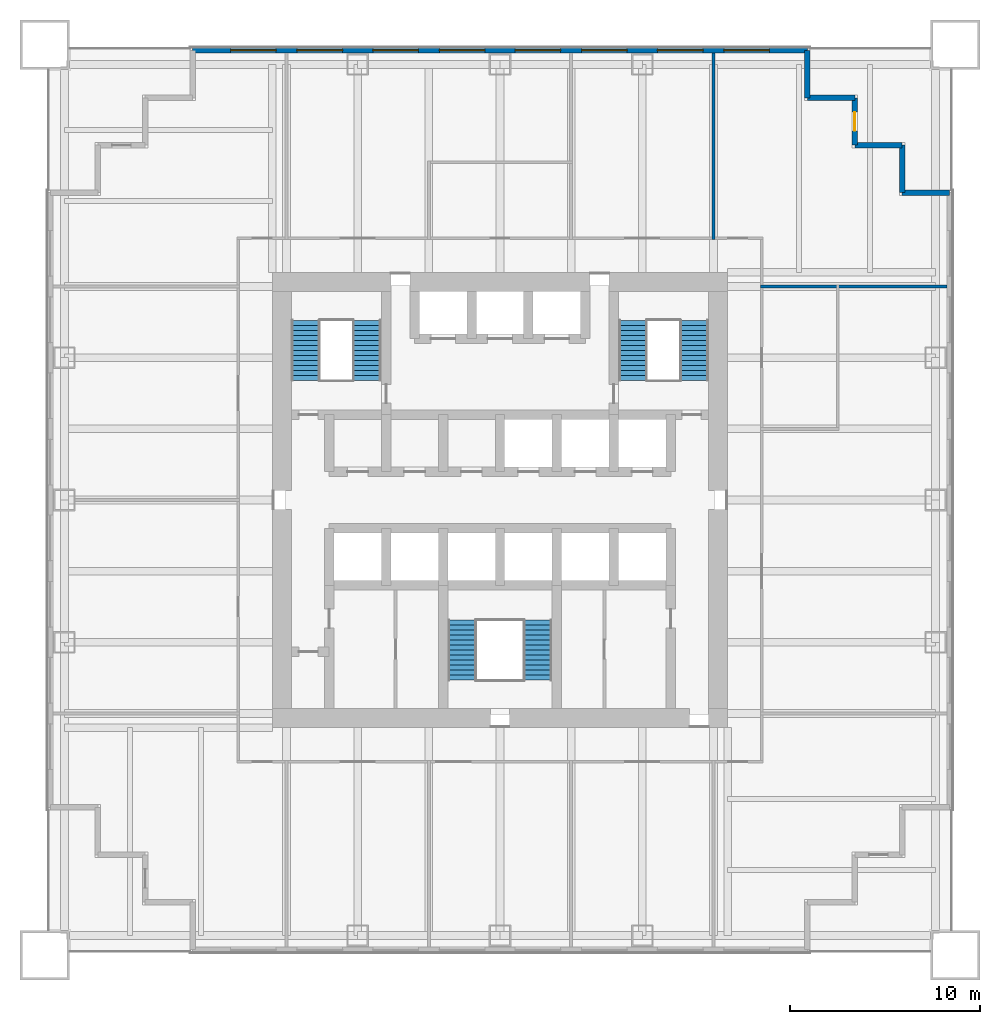
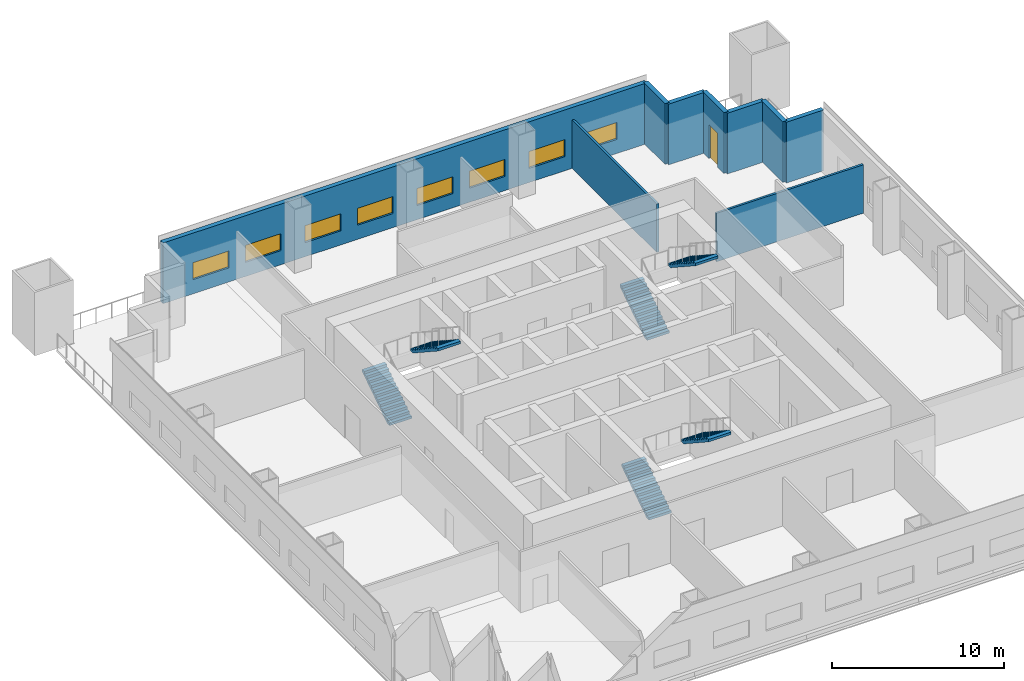
# One storey, part 5 of 7: 9 walls, 8 windows, 6 stair flights, 1 door, 9 openings, 3 elements without a shape of their own.
"""IFC4 building model written with IfcOpenShell, lengths in metres."""

from ifc_helpers import new_model, si_unit, direction, frame, frame_2d, origin, place, context, subcontext, project, spatial, polyline, rectangle, outline, extrude, material, layer, layer_set, type_object, element, fill, aggregate, save


model = new_model("IFC4")

# Units and contexts
model_context = context("Model", 3, precision=1e-05, world=origin(), true_north=direction((0.0, 1.0)))
body_context = subcontext(model_context, "Body", "Model", "MODEL_VIEW")
ifc_project = project(units=[si_unit("LENGTHUNIT", "METRE"), si_unit("AREAUNIT", "SQUARE_METRE"), si_unit("VOLUMEUNIT", "CUBIC_METRE"), si_unit("PLANEANGLEUNIT", "RADIAN"), si_unit("MASSUNIT", "GRAM", prefix="KILO")], contexts=[model_context])

# Site, building, storey
site_placement = place(None, origin())
site = spatial("IfcSite", under=ifc_project, at=site_placement, CompositionType="ELEMENT")
building_placement = place(site_placement, origin())
building = spatial("IfcBuilding", under=site, at=building_placement, Name="Tarangal Relay Tower", CompositionType="ELEMENT")
storey_placement = place(building_placement, frame((0.0, 0.0, 131.39990234375)))
storey = spatial("IfcBuildingStorey", under=building, at=storey_placement, Name="L26", CompositionType="ELEMENT", Elevation=131.39990234375)

# Wall, openings, windows
ifc_material_1 = material(Name="Insulated precast concrete fc' 40 MPa", Category="concrete")
ifc_layer_1 = layer(ifc_material_1, 0.300048828125)
ifc_layer_set_1 = layer_set([ifc_layer_1], Name="Insulated precast concrete fc' 40 MPa")
wall_type_1 = type_object("IfcWallType", Name="Facade wall precast 300", PredefinedType="SOLIDWALL", material=ifc_layer_set_1)
wall_1_placement = place(storey_placement, frame((-16.199951171875, 23.699951171875, 0.0), z_axis=(0.0, 0.0, 1.0), x_axis=(1.0, 0.0, 0.0)))
wall_1 = element("IfcWall", 1, at=wall_1_placement, inside=storey, type_object=wall_type_1, Name="Facade wall N facade L26", PredefinedType="SOLIDWALL", context=body_context, shape_type="SweptSolid", body=[
    extrude(rectangle(XDim=32.39990234375, YDim=0.300048828125, at=frame_2d((16.199951171875, 0.0))), origin(), (0.0, 0.0, 1.0), 4.300048828125),
])
opening_1_placement = place(wall_1_placement, frame((2.0, 0.0, 1.0)))
opening_1 = element("IfcOpeningElement", 2, at=opening_1_placement, cuts=wall_1, Name="Opening WN1", PredefinedType="OPENING", context=body_context, shape_type="SweptSolid", body=[
    extrude(rectangle(XDim=2.39990234375, YDim=1.199951171875, at=frame_2d((1.199951171875, 0.60009765625))), frame((0.0, 0.159912109375, 0.0), z_axis=(0.0, -1.0, 0.0), x_axis=(1.0, 0.0, 0.0)), (0.0, 0.0, 1.0), 0.320068359375),
])
opening_2_placement = place(wall_1_placement, frame((5.5, 0.0, 1.0)))
opening_2 = element("IfcOpeningElement", 3, at=opening_2_placement, cuts=wall_1, Name="Opening WN1", PredefinedType="OPENING", context=body_context, shape_type="SweptSolid", body=[
    extrude(rectangle(XDim=2.39990234375, YDim=1.199951171875, at=frame_2d((1.199951171875, 0.60009765625))), frame((0.0, 0.159912109375, 0.0), z_axis=(0.0, -1.0, 0.0), x_axis=(1.0, 0.0, 0.0)), (0.0, 0.0, 1.0), 0.320068359375),
])
opening_3_placement = place(wall_1_placement, frame((9.5, 0.0, 1.0)))
opening_3 = element("IfcOpeningElement", 4, at=opening_3_placement, cuts=wall_1, Name="Opening WN1", PredefinedType="OPENING", context=body_context, shape_type="SweptSolid", body=[
    extrude(rectangle(XDim=2.39990234375, YDim=1.199951171875, at=frame_2d((1.199951171875, 0.60009765625))), frame((0.0, 0.159912109375, 0.0), z_axis=(0.0, -1.0, 0.0), x_axis=(1.0, 0.0, 0.0)), (0.0, 0.0, 1.0), 0.320068359375),
])
opening_4_placement = place(wall_1_placement, frame((13.0, 0.0, 1.0)))
opening_4 = element("IfcOpeningElement", 5, at=opening_4_placement, cuts=wall_1, Name="Opening WN1", PredefinedType="OPENING", context=body_context, shape_type="SweptSolid", body=[
    extrude(rectangle(XDim=2.39990234375, YDim=1.199951171875, at=frame_2d((1.199951171875, 0.60009765625))), frame((0.0, 0.159912109375, 0.0), z_axis=(0.0, -1.0, 0.0), x_axis=(1.0, 0.0, 0.0)), (0.0, 0.0, 1.0), 0.320068359375),
])
opening_5_placement = place(wall_1_placement, frame((17.0, 0.0, 1.0)))
opening_5 = element("IfcOpeningElement", 6, at=opening_5_placement, cuts=wall_1, Name="Opening WN1", PredefinedType="OPENING", context=body_context, shape_type="SweptSolid", body=[
    extrude(rectangle(XDim=2.39990234375, YDim=1.199951171875, at=frame_2d((1.199951171875, 0.60009765625))), frame((0.0, 0.159912109375, 0.0), z_axis=(0.0, -1.0, 0.0), x_axis=(1.0, 0.0, 0.0)), (0.0, 0.0, 1.0), 0.320068359375),
])
opening_6_placement = place(wall_1_placement, frame((20.5, 0.0, 1.0)))
opening_6 = element("IfcOpeningElement", 7, at=opening_6_placement, cuts=wall_1, Name="Opening WN1", PredefinedType="OPENING", context=body_context, shape_type="SweptSolid", body=[
    extrude(rectangle(XDim=2.39990234375, YDim=1.199951171875, at=frame_2d((1.199951171875, 0.60009765625))), frame((0.0, 0.159912109375, 0.0), z_axis=(0.0, -1.0, 0.0), x_axis=(1.0, 0.0, 0.0)), (0.0, 0.0, 1.0), 0.320068359375),
])
opening_7_placement = place(wall_1_placement, frame((24.5, 0.0, 1.0)))
opening_7 = element("IfcOpeningElement", 8, at=opening_7_placement, cuts=wall_1, Name="Opening WN1", PredefinedType="OPENING", context=body_context, shape_type="SweptSolid", body=[
    extrude(rectangle(XDim=2.39990234375, YDim=1.199951171875, at=frame_2d((1.199951171875, 0.60009765625))), frame((0.0, 0.159912109375, 0.0), z_axis=(0.0, -1.0, 0.0), x_axis=(1.0, 0.0, 0.0)), (0.0, 0.0, 1.0), 0.320068359375),
])
opening_8_placement = place(wall_1_placement, frame((28.0, 0.0, 1.0)))
opening_8 = element("IfcOpeningElement", 9, at=opening_8_placement, cuts=wall_1, Name="Opening WN1", PredefinedType="OPENING", context=body_context, shape_type="SweptSolid", body=[
    extrude(rectangle(XDim=2.39990234375, YDim=1.199951171875, at=frame_2d((1.199951171875, 0.60009765625))), frame((0.0, 0.159912109375, 0.0), z_axis=(0.0, -1.0, 0.0), x_axis=(1.0, 0.0, 0.0)), (0.0, 0.0, 1.0), 0.320068359375),
])
ifc_material_2 = material(Name="Dark tinted double glazing in black aluminium frame", Category="aluminium")
window_type = type_object("IfcWindowType", Name="Ribbon window 2400 x 1200", PartitioningType="SINGLE_PANEL", PredefinedType="WINDOW", material=ifc_material_2)
window_1_placement = place(opening_1_placement, origin())
window_1 = element("IfcWindow", 10, at=window_1_placement, inside=storey, type_object=window_type, Name="Ribbon window WN1 N facade L26", OverallHeight=1.199951171875, OverallWidth=2.39990234375, PartitioningType="SINGLE_PANEL", PredefinedType="WINDOW", context=body_context, shape_type="SweptSolid", body=[
    extrude(rectangle(XDim=2.39990234375, YDim=1.199951171875, at=frame_2d((1.199951171875, 0.60009765625))), frame((0.0, 0.030029296875, 0.0), z_axis=(0.0, -1.0, 0.0), x_axis=(1.0, 0.0, 0.0)), (0.0, 0.0, 1.0), 0.06005859375),
])
fill(opening_1, window_1)
window_2_placement = place(opening_2_placement, origin())
window_2 = element("IfcWindow", 11, at=window_2_placement, inside=storey, type_object=window_type, Name="Ribbon window WN1 N facade L26", OverallHeight=1.199951171875, OverallWidth=2.39990234375, PartitioningType="SINGLE_PANEL", PredefinedType="WINDOW", context=body_context, shape_type="SweptSolid", body=[
    extrude(rectangle(XDim=2.39990234375, YDim=1.199951171875, at=frame_2d((1.199951171875, 0.60009765625))), frame((0.0, 0.030029296875, 0.0), z_axis=(0.0, -1.0, 0.0), x_axis=(1.0, 0.0, 0.0)), (0.0, 0.0, 1.0), 0.06005859375),
])
fill(opening_2, window_2)
window_3_placement = place(opening_3_placement, origin())
window_3 = element("IfcWindow", 12, at=window_3_placement, inside=storey, type_object=window_type, Name="Ribbon window WN1 N facade L26", OverallHeight=1.199951171875, OverallWidth=2.39990234375, PartitioningType="SINGLE_PANEL", PredefinedType="WINDOW", context=body_context, shape_type="SweptSolid", body=[
    extrude(rectangle(XDim=2.39990234375, YDim=1.199951171875, at=frame_2d((1.199951171875, 0.60009765625))), frame((0.0, 0.030029296875, 0.0), z_axis=(0.0, -1.0, 0.0), x_axis=(1.0, 0.0, 0.0)), (0.0, 0.0, 1.0), 0.06005859375),
])
fill(opening_3, window_3)
window_4_placement = place(opening_4_placement, origin())
window_4 = element("IfcWindow", 13, at=window_4_placement, inside=storey, type_object=window_type, Name="Ribbon window WN1 N facade L26", OverallHeight=1.199951171875, OverallWidth=2.39990234375, PartitioningType="SINGLE_PANEL", PredefinedType="WINDOW", context=body_context, shape_type="SweptSolid", body=[
    extrude(rectangle(XDim=2.39990234375, YDim=1.199951171875, at=frame_2d((1.199951171875, 0.60009765625))), frame((0.0, 0.030029296875, 0.0), z_axis=(0.0, -1.0, 0.0), x_axis=(1.0, 0.0, 0.0)), (0.0, 0.0, 1.0), 0.06005859375),
])
fill(opening_4, window_4)
window_5_placement = place(opening_5_placement, origin())
window_5 = element("IfcWindow", 14, at=window_5_placement, inside=storey, type_object=window_type, Name="Ribbon window WN1 N facade L26", OverallHeight=1.199951171875, OverallWidth=2.39990234375, PartitioningType="SINGLE_PANEL", PredefinedType="WINDOW", context=body_context, shape_type="SweptSolid", body=[
    extrude(rectangle(XDim=2.39990234375, YDim=1.199951171875, at=frame_2d((1.199951171875, 0.60009765625))), frame((0.0, 0.030029296875, 0.0), z_axis=(0.0, -1.0, 0.0), x_axis=(1.0, 0.0, 0.0)), (0.0, 0.0, 1.0), 0.06005859375),
])
fill(opening_5, window_5)
window_6_placement = place(opening_6_placement, origin())
window_6 = element("IfcWindow", 15, at=window_6_placement, inside=storey, type_object=window_type, Name="Ribbon window WN1 N facade L26", OverallHeight=1.199951171875, OverallWidth=2.39990234375, PartitioningType="SINGLE_PANEL", PredefinedType="WINDOW", context=body_context, shape_type="SweptSolid", body=[
    extrude(rectangle(XDim=2.39990234375, YDim=1.199951171875, at=frame_2d((1.199951171875, 0.60009765625))), frame((0.0, 0.030029296875, 0.0), z_axis=(0.0, -1.0, 0.0), x_axis=(1.0, 0.0, 0.0)), (0.0, 0.0, 1.0), 0.06005859375),
])
fill(opening_6, window_6)
window_7_placement = place(opening_7_placement, origin())
window_7 = element("IfcWindow", 16, at=window_7_placement, inside=storey, type_object=window_type, Name="Ribbon window WN1 N facade L26", OverallHeight=1.199951171875, OverallWidth=2.39990234375, PartitioningType="SINGLE_PANEL", PredefinedType="WINDOW", context=body_context, shape_type="SweptSolid", body=[
    extrude(rectangle(XDim=2.39990234375, YDim=1.199951171875, at=frame_2d((1.199951171875, 0.60009765625))), frame((0.0, 0.030029296875, 0.0), z_axis=(0.0, -1.0, 0.0), x_axis=(1.0, 0.0, 0.0)), (0.0, 0.0, 1.0), 0.06005859375),
])
fill(opening_7, window_7)
window_8_placement = place(opening_8_placement, origin())
window_8 = element("IfcWindow", 17, at=window_8_placement, inside=storey, type_object=window_type, Name="Ribbon window WN1 N facade L26", OverallHeight=1.199951171875, OverallWidth=2.39990234375, PartitioningType="SINGLE_PANEL", PredefinedType="WINDOW", context=body_context, shape_type="SweptSolid", body=[
    extrude(rectangle(XDim=2.39990234375, YDim=1.199951171875, at=frame_2d((1.199951171875, 0.60009765625))), frame((0.0, 0.030029296875, 0.0), z_axis=(0.0, -1.0, 0.0), x_axis=(1.0, 0.0, 0.0)), (0.0, 0.0, 1.0), 0.06005859375),
])
fill(opening_8, window_8)

# Walls
for number, where, z_axis, x_axis, name in (
    (18, (16.199951171875, 23.699951171875, 0.0), (0.0, 0.0, 1.0), (0.0, -1.0, 0.0), "Facade wall N facade L26"),
    (19, (16.199951171875, 21.199951171875, 0.0), (0.0, 0.0, 1.0), (1.0, 0.0, 0.0), "Facade wall N facade L26"),
):
    element("IfcWall", number, at=place(storey_placement, frame(where, z_axis=z_axis, x_axis=x_axis)), inside=storey, type_object=wall_type_1, Name=name, PredefinedType="SOLIDWALL", context=body_context, shape_type="SweptSolid", body=[
        extrude(rectangle(XDim=2.5, YDim=0.300048828125, at=frame_2d((1.25, 0.0))), origin(), (0.0, 0.0, 1.0), 4.300048828125),
    ])

# Wall, opening, door
wall_2_placement = place(storey_placement, frame((18.699951171875, 21.199951171875, 0.0), z_axis=(0.0, 0.0, 1.0), x_axis=(0.0, -1.0, 0.0)))
wall_2 = element("IfcWall", 20, at=wall_2_placement, inside=storey, type_object=wall_type_1, Name="Facade wall N facade L26", PredefinedType="SOLIDWALL", context=body_context, shape_type="SweptSolid", body=[
    extrude(rectangle(XDim=2.5, YDim=0.300048828125, at=frame_2d((1.25, 0.0))), origin(), (0.0, 0.0, 1.0), 4.300048828125),
])
opening_9_placement = place(wall_2_placement, frame((0.75, 0.0, 0.0)))
opening_9 = element("IfcOpeningElement", 21, at=opening_9_placement, cuts=wall_2, Name="Opening TD1", PredefinedType="OPENING", context=body_context, shape_type="SweptSolid", body=[
    extrude(rectangle(XDim=1.0, YDim=2.39990234375, at=frame_2d((0.5, 1.199951171875))), frame((0.0, 0.159912109375, 0.0), z_axis=(0.0, -1.0, 0.0), x_axis=(1.0, 0.0, 0.0)), (0.0, 0.0, 1.0), 0.320068359375),
])
ifc_material_3 = material(Name="Aluminium glazed door", Category="aluminium")
door_type = type_object("IfcDoorType", Name="Terrace door 1000 x 2400", OperationType="SINGLE_SWING_RIGHT", PredefinedType="DOOR", material=ifc_material_3)
door_placement = place(opening_9_placement, origin())
door = element("IfcDoor", 22, at=door_placement, inside=storey, type_object=door_type, Name="Terrace door TD1 NE L26", OperationType="SINGLE_SWING_RIGHT", OverallHeight=2.39990234375, OverallWidth=1.0, PredefinedType="DOOR", context=body_context, shape_type="SweptSolid", body=[
    extrude(rectangle(XDim=1.0, YDim=2.39990234375, at=frame_2d((0.5, 1.199951171875))), frame((0.0, 0.02490234375, 0.0), z_axis=(0.0, -1.0, 0.0), x_axis=(1.0, 0.0, 0.0)), (0.0, 0.0, 1.0), 0.050048828125),
])
fill(opening_9, door)

# Walls
for number, where, z_axis, x_axis, name in (
    (23, (18.699951171875, 18.699951171875, 0.0), (0.0, 0.0, 1.0), (1.0, 0.0, 0.0), "Facade wall N facade L26"),
    (24, (21.199951171875, 18.699951171875, 0.0), (0.0, 0.0, 1.0), (0.0, -1.0, 0.0), "Facade wall N facade L26"),
    (25, (21.199951171875, 16.199951171875, 0.0), (0.0, 0.0, 1.0), (1.0, 0.0, 0.0), "Facade wall N facade L26"),
):
    element("IfcWall", number, at=place(storey_placement, frame(where, z_axis=z_axis, x_axis=x_axis)), inside=storey, type_object=wall_type_1, Name=name, PredefinedType="SOLIDWALL", context=body_context, shape_type="SweptSolid", body=[
        extrude(rectangle(XDim=2.5, YDim=0.300048828125, at=frame_2d((1.25, 0.0))), origin(), (0.0, 0.0, 1.0), 4.300048828125),
    ])
ifc_material_4 = material(Name="Gypsum board on steel studs", Category="steel")
ifc_layer_2 = layer(ifc_material_4, 0.14990234375)
ifc_layer_set_2 = layer_set([ifc_layer_2], Name="Partition 150")
wall_type_2 = type_object("IfcWallType", Name="Partition 150", PredefinedType="PARTITIONING", material=ifc_layer_set_2)
for number, where, z_axis, x_axis, name in (
    (26, (13.72509765625, 11.25, 0.0), (0.0, 0.0, 1.0), (1.0, 0.0, 0.0), "Partition PT1 L26"),
    (27, (11.25, 13.72509765625, 0.0), (0.0, 0.0, 1.0), (0.0, 1.0, 0.0), "Partition PT1 L26"),
):
    element("IfcWall", number, at=place(storey_placement, frame(where, z_axis=z_axis, x_axis=x_axis)), inside=storey, type_object=wall_type_2, Name=name, PredefinedType="PARTITIONING", context=body_context, shape_type="SweptSolid", body=[
        extrude(rectangle(XDim=9.824951171875, YDim=0.14990234375, at=frame_2d((4.91259765625, 0.0))), origin(), (0.0, 0.0, 1.0), 3.431396484375),
    ])

# Stair, stair flights
ifc_material_5 = material(Name="Steel ASTM A992 stair flight", Category="steel")
stair_type = type_object("IfcStairType", Name="Core stair 1500", PredefinedType="HALF_TURN_STAIR", material=ifc_material_5)
stair_1_placement = place(storey_placement, origin())
stair_1 = element("IfcStair", 28, at=stair_1_placement, inside=storey, type_object=stair_type, Name="Stair ST-A L26", PredefinedType="HALF_TURN_STAIR")
stair_flight_type = type_object("IfcStairFlightType", Name="Steel stair flight 1500, 13 risers 173 x 264", PredefinedType="STRAIGHT", material=ifc_material_5)
stair_flight_1_placement = place(storey_placement, frame((-10.25, 6.300048828125, 0.0), z_axis=(0.0, 0.0, 1.0), x_axis=(0.0, 1.0, 0.0)))
stair_flight_1 = element("IfcStairFlight", 29, at=stair_flight_1_placement, type_object=stair_flight_type, Name="ST-A flight 1", NumberOfRisers=13, NumberOfTreads=12, PredefinedType="STRAIGHT", RiserHeight=0.173076923, TreadLength=0.264, context=body_context, shape_type="SweptSolid", body=[
    extrude(outline(polyline([(0.0, 0.0), (0.0, 0.173095703125), (0.263916015625, 0.173095703125), (0.263916015625, 0.34619140625), (0.528076171875, 0.34619140625), (0.528076171875, 0.519287109375), (0.7919921875, 0.519287109375), (0.7919921875, 0.6923828125), (1.055908203125, 0.6923828125), (1.055908203125, 0.865478515625), (1.320068359375, 0.865478515625), (1.320068359375, 1.03857421875), (1.583984375, 1.03857421875), (1.583984375, 1.21142578125), (1.847900390625, 1.21142578125), (1.847900390625, 1.384521484375), (2.112060546875, 1.384521484375), (2.112060546875, 1.5576171875), (2.3759765625, 1.5576171875), (2.3759765625, 1.730712890625), (2.639892578125, 1.730712890625), (2.639892578125, 1.90380859375), (2.904052734375, 1.90380859375), (2.904052734375, 2.076904296875), (3.16796875, 2.076904296875), (3.16796875, 2.25), (3.16796875, 1.897705078125), (0.2734375, 0.0), (0.0, 0.0)])), frame((0.0, 0.75, 0.0), z_axis=(0.0, -1.0, 0.0), x_axis=(1.0, 0.0, 0.0)), (0.0, 0.0, 1.0), 1.5),
])
stair_flight_2_placement = place(storey_placement, frame((-7.0, 9.468017578125, 2.25), z_axis=(0.0, 0.0, 1.0), x_axis=(0.0, -1.0, 0.0)))
stair_flight_2 = element("IfcStairFlight", 30, at=stair_flight_2_placement, type_object=stair_flight_type, Name="ST-A flight 2", NumberOfRisers=13, NumberOfTreads=12, PredefinedType="STRAIGHT", RiserHeight=0.173076923, TreadLength=0.264, context=body_context, shape_type="SweptSolid", body=[
    extrude(outline(polyline([(0.0, 0.0), (0.0, 0.173095703125), (0.263916015625, 0.173095703125), (0.263916015625, 0.34619140625), (0.528076171875, 0.34619140625), (0.528076171875, 0.519287109375), (0.7919921875, 0.519287109375), (0.7919921875, 0.6923828125), (1.055908203125, 0.6923828125), (1.055908203125, 0.865478515625), (1.320068359375, 0.865478515625), (1.320068359375, 1.03857421875), (1.583984375, 1.03857421875), (1.583984375, 1.21142578125), (1.847900390625, 1.21142578125), (1.847900390625, 1.384521484375), (2.112060546875, 1.384521484375), (2.112060546875, 1.5576171875), (2.3759765625, 1.5576171875), (2.3759765625, 1.730712890625), (2.639892578125, 1.730712890625), (2.639892578125, 1.90380859375), (2.904052734375, 1.90380859375), (2.904052734375, 2.076904296875), (3.16796875, 2.076904296875), (3.16796875, 2.25), (3.16796875, 1.897705078125), (0.2734375, 0.0), (0.0, 0.0)])), frame((0.0, 0.75, 0.0), z_axis=(0.0, -1.0, 0.0), x_axis=(1.0, 0.0, 0.0)), (0.0, 0.0, 1.0), 1.5),
])
aggregate(stair_1, [stair_flight_1, stair_flight_2])

stair_2_placement = place(storey_placement, origin())
stair_2 = element("IfcStair", 31, at=stair_2_placement, inside=storey, type_object=stair_type, Name="Stair ST-B L26", PredefinedType="HALF_TURN_STAIR")
stair_flight_3_placement = place(storey_placement, frame((7.0, 6.300048828125, 0.0), z_axis=(0.0, 0.0, 1.0), x_axis=(0.0, 1.0, 0.0)))
stair_flight_3 = element("IfcStairFlight", 32, at=stair_flight_3_placement, type_object=stair_flight_type, Name="ST-B flight 1", NumberOfRisers=13, NumberOfTreads=12, PredefinedType="STRAIGHT", RiserHeight=0.173076923, TreadLength=0.264, context=body_context, shape_type="SweptSolid", body=[
    extrude(outline(polyline([(0.0, 0.0), (0.0, 0.173095703125), (0.263916015625, 0.173095703125), (0.263916015625, 0.34619140625), (0.528076171875, 0.34619140625), (0.528076171875, 0.519287109375), (0.7919921875, 0.519287109375), (0.7919921875, 0.6923828125), (1.055908203125, 0.6923828125), (1.055908203125, 0.865478515625), (1.320068359375, 0.865478515625), (1.320068359375, 1.03857421875), (1.583984375, 1.03857421875), (1.583984375, 1.21142578125), (1.847900390625, 1.21142578125), (1.847900390625, 1.384521484375), (2.112060546875, 1.384521484375), (2.112060546875, 1.5576171875), (2.3759765625, 1.5576171875), (2.3759765625, 1.730712890625), (2.639892578125, 1.730712890625), (2.639892578125, 1.90380859375), (2.904052734375, 1.90380859375), (2.904052734375, 2.076904296875), (3.16796875, 2.076904296875), (3.16796875, 2.25), (3.16796875, 1.897705078125), (0.2734375, 0.0), (0.0, 0.0)])), frame((0.0, 0.75, 0.0), z_axis=(0.0, -1.0, 0.0), x_axis=(1.0, 0.0, 0.0)), (0.0, 0.0, 1.0), 1.5),
])
stair_flight_4_placement = place(storey_placement, frame((10.25, 9.468017578125, 2.25), z_axis=(0.0, 0.0, 1.0), x_axis=(0.0, -1.0, 0.0)))
stair_flight_4 = element("IfcStairFlight", 33, at=stair_flight_4_placement, type_object=stair_flight_type, Name="ST-B flight 2", NumberOfRisers=13, NumberOfTreads=12, PredefinedType="STRAIGHT", RiserHeight=0.173076923, TreadLength=0.264, context=body_context, shape_type="SweptSolid", body=[
    extrude(outline(polyline([(0.0, 0.0), (0.0, 0.173095703125), (0.263916015625, 0.173095703125), (0.263916015625, 0.34619140625), (0.528076171875, 0.34619140625), (0.528076171875, 0.519287109375), (0.7919921875, 0.519287109375), (0.7919921875, 0.6923828125), (1.055908203125, 0.6923828125), (1.055908203125, 0.865478515625), (1.320068359375, 0.865478515625), (1.320068359375, 1.03857421875), (1.583984375, 1.03857421875), (1.583984375, 1.21142578125), (1.847900390625, 1.21142578125), (1.847900390625, 1.384521484375), (2.112060546875, 1.384521484375), (2.112060546875, 1.5576171875), (2.3759765625, 1.5576171875), (2.3759765625, 1.730712890625), (2.639892578125, 1.730712890625), (2.639892578125, 1.90380859375), (2.904052734375, 1.90380859375), (2.904052734375, 2.076904296875), (3.16796875, 2.076904296875), (3.16796875, 2.25), (3.16796875, 1.897705078125), (0.2734375, 0.0), (0.0, 0.0)])), frame((0.0, 0.75, 0.0), z_axis=(0.0, -1.0, 0.0), x_axis=(1.0, 0.0, 0.0)), (0.0, 0.0, 1.0), 1.5),
])
aggregate(stair_2, [stair_flight_3, stair_flight_4])

stair_3_placement = place(storey_placement, origin())
stair_3 = element("IfcStair", 34, at=stair_3_placement, inside=storey, type_object=stair_type, Name="Stair ST-C L26", PredefinedType="HALF_TURN_STAIR")
stair_flight_5_placement = place(storey_placement, frame((-2.0, -9.5, 0.0), z_axis=(0.0, 0.0, 1.0), x_axis=(0.0, 1.0, 0.0)))
stair_flight_5 = element("IfcStairFlight", 35, at=stair_flight_5_placement, type_object=stair_flight_type, Name="ST-C flight 1", NumberOfRisers=13, NumberOfTreads=12, PredefinedType="STRAIGHT", RiserHeight=0.173076923, TreadLength=0.264, context=body_context, shape_type="SweptSolid", body=[
    extrude(outline(polyline([(0.0, 0.0), (0.0, 0.173095703125), (0.263916015625, 0.173095703125), (0.263916015625, 0.34619140625), (0.528076171875, 0.34619140625), (0.528076171875, 0.519287109375), (0.7919921875, 0.519287109375), (0.7919921875, 0.6923828125), (1.055908203125, 0.6923828125), (1.055908203125, 0.865478515625), (1.320068359375, 0.865478515625), (1.320068359375, 1.03857421875), (1.583984375, 1.03857421875), (1.583984375, 1.21142578125), (1.847900390625, 1.21142578125), (1.847900390625, 1.384521484375), (2.112060546875, 1.384521484375), (2.112060546875, 1.5576171875), (2.3759765625, 1.5576171875), (2.3759765625, 1.730712890625), (2.639892578125, 1.730712890625), (2.639892578125, 1.90380859375), (2.904052734375, 1.90380859375), (2.904052734375, 2.076904296875), (3.16796875, 2.076904296875), (3.16796875, 2.25), (3.16796875, 1.897705078125), (0.2734375, 0.0), (0.0, 0.0)])), frame((0.0, 0.75, 0.0), z_axis=(0.0, -1.0, 0.0), x_axis=(1.0, 0.0, 0.0)), (0.0, 0.0, 1.0), 1.5),
])
stair_flight_6_placement = place(storey_placement, frame((2.0, -6.33203125, 2.25), z_axis=(0.0, 0.0, 1.0), x_axis=(0.0, -1.0, 0.0)))
stair_flight_6 = element("IfcStairFlight", 36, at=stair_flight_6_placement, type_object=stair_flight_type, Name="ST-C flight 2", NumberOfRisers=13, NumberOfTreads=12, PredefinedType="STRAIGHT", RiserHeight=0.173076923, TreadLength=0.264, context=body_context, shape_type="SweptSolid", body=[
    extrude(outline(polyline([(0.0, 0.0), (0.0, 0.173095703125), (0.263916015625, 0.173095703125), (0.263916015625, 0.34619140625), (0.528076171875, 0.34619140625), (0.528076171875, 0.519287109375), (0.7919921875, 0.519287109375), (0.7919921875, 0.6923828125), (1.055908203125, 0.6923828125), (1.055908203125, 0.865478515625), (1.320068359375, 0.865478515625), (1.320068359375, 1.03857421875), (1.583984375, 1.03857421875), (1.583984375, 1.21142578125), (1.847900390625, 1.21142578125), (1.847900390625, 1.384521484375), (2.112060546875, 1.384521484375), (2.112060546875, 1.5576171875), (2.3759765625, 1.5576171875), (2.3759765625, 1.730712890625), (2.639892578125, 1.730712890625), (2.639892578125, 1.90380859375), (2.904052734375, 1.90380859375), (2.904052734375, 2.076904296875), (3.16796875, 2.076904296875), (3.16796875, 2.25), (3.16796875, 1.897705078125), (0.2734375, 0.0), (0.0, 0.0)])), frame((0.0, 0.75, 0.0), z_axis=(0.0, -1.0, 0.0), x_axis=(1.0, 0.0, 0.0)), (0.0, 0.0, 1.0), 1.5),
])
aggregate(stair_3, [stair_flight_5, stair_flight_6])

save(model, "model.ifc")
